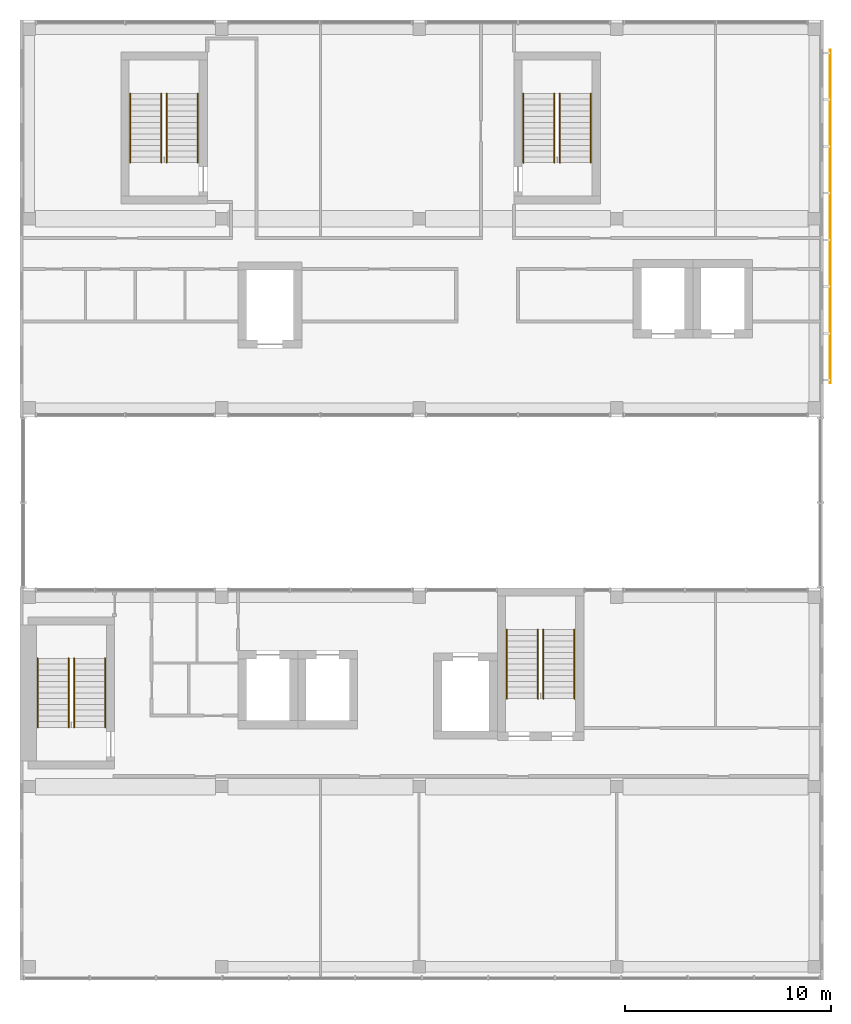
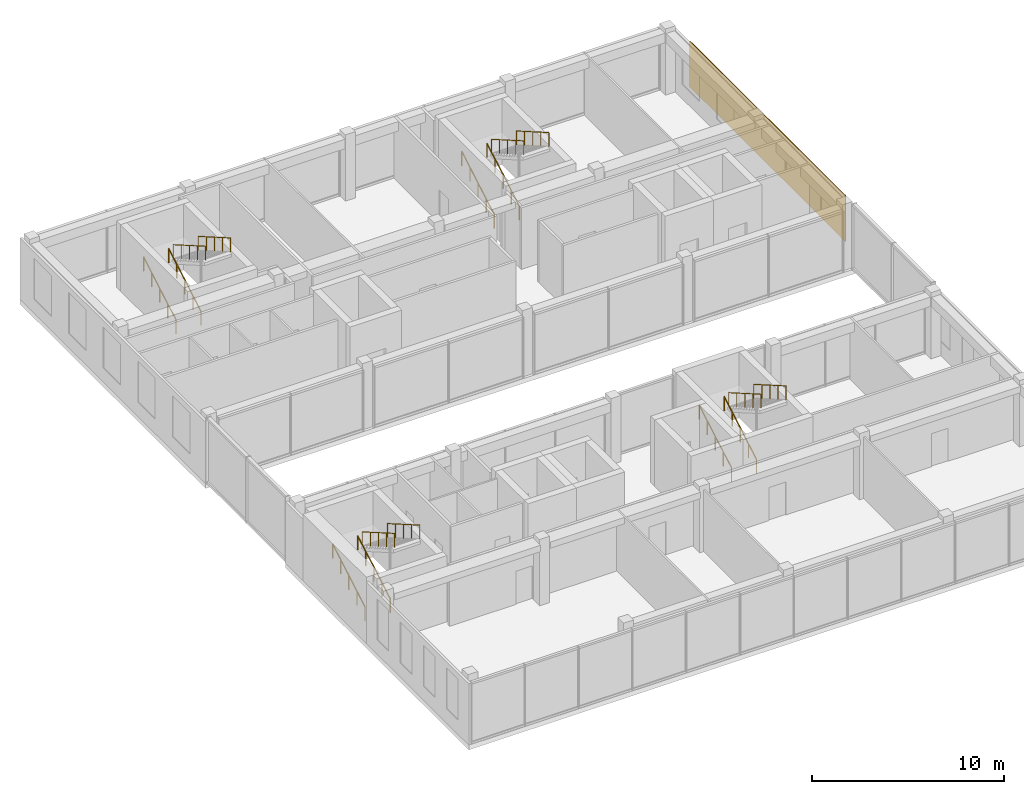
# One storey, part 23 of 28: 16 railings, 1 shading device.
"""IFC4 building model written with IfcOpenShell, lengths in metres."""

from ifc_helpers import new_model, si_unit, direction, frame, origin, origin_2d, place, context, subcontext, project, spatial, rectangle, circle, extrude, material, type_object, element, save


model = new_model("IFC4")

# Units and contexts
model_context = context("Model", 3, precision=1e-05, world=origin(), true_north=direction((0.0, 1.0)))
body_context = subcontext(model_context, "Body", "Model", "MODEL_VIEW")
ifc_project = project(units=[si_unit("LENGTHUNIT", "METRE"), si_unit("AREAUNIT", "SQUARE_METRE"), si_unit("VOLUMEUNIT", "CUBIC_METRE"), si_unit("PLANEANGLEUNIT", "RADIAN"), si_unit("MASSUNIT", "GRAM", prefix="KILO")], contexts=[model_context])

# Site, building, storey
site_placement = place(None, origin())
site = spatial("IfcSite", under=ifc_project, at=site_placement, CompositionType="ELEMENT")
building_placement = place(site_placement, origin())
building = spatial("IfcBuilding", under=site, at=building_placement, Name="Nzadi Deep Aquarium and Research Tower", CompositionType="ELEMENT")
storey_placement = place(building_placement, frame((0.0, 0.0, 73.89990234375)))
storey = spatial("IfcBuildingStorey", under=building, at=storey_placement, Name="L15", CompositionType="ELEMENT", Elevation=73.89990234375)

# Railings
ifc_material_1 = material(Name="Stainless steel 1.4301", Category="steel")
railing_type = type_object("IfcRailingType", Name="HANDRAIL 900", PredefinedType="HANDRAIL", material=ifc_material_1)
for number, where, name in (
    (1, (0.659912109375, 12.070068359375, 0.16162109375), "HR-ST-Z1-SW-L15-F1"),
    (2, (2.1650390625, 12.070068359375, 0.16162109375), "HR-ST-Z1-SW-L15-F1W"),
):
    element("IfcRailing", number, at=place(storey_placement, frame(where)), inside=storey, type_object=railing_type, Name=name, PredefinedType="HANDRAIL", context=body_context, shape_type="SweptSolid", body=[
        extrude(circle(Radius=0.02392578125, at=origin_2d()), frame((0.0, 0.0, 0.8759765625), z_axis=(0.0, 0.866175107563, 0.499740615757), x_axis=(-1.0, 0.0, 0.0)), (0.0, 0.0, 1.0), 3.87890625),
        extrude(circle(Radius=0.02099609375, at=origin_2d()), origin(), (0.0, 0.0, 1.0), 0.851806640625),
        extrude(circle(Radius=0.02099609375, at=origin_2d()), frame((0.0, 0.83984375, 0.484619140625)), (0.0, 0.0, 1.0), 0.851806640625),
        extrude(circle(Radius=0.02099609375, at=origin_2d()), frame((0.0, 1.679931640625, 0.96923828125)), (0.0, 0.0, 1.0), 0.851806640625),
        extrude(circle(Radius=0.02099609375, at=origin_2d()), frame((0.0, 2.52001953125, 1.453857421875)), (0.0, 0.0, 1.0), 0.851806640625),
        extrude(circle(Radius=0.02099609375, at=origin_2d()), frame((0.0, 3.35986328125, 1.9384765625)), (0.0, 0.0, 1.0), 0.851806640625),
    ])
for number, where, name in (
    (3, (3.93994140625, 15.429931640625, 2.26171875), "HR-ST-Z1-SW-L15-F2"),
    (4, (2.43505859375, 15.429931640625, 2.26171875), "HR-ST-Z1-SW-L15-F2W"),
):
    element("IfcRailing", number, at=place(storey_placement, frame(where)), inside=storey, type_object=railing_type, Name=name, PredefinedType="HANDRAIL", context=body_context, shape_type="SweptSolid", body=[
        extrude(circle(Radius=0.02392578125, at=origin_2d()), frame((0.0, 0.0, 0.8759765625), z_axis=(0.0, -0.866175107563, 0.499740615757), x_axis=(1.0, 0.0, 0.0)), (0.0, 0.0, 1.0), 3.87890625),
        extrude(circle(Radius=0.02099609375, at=origin_2d()), origin(), (0.0, 0.0, 1.0), 0.851806640625),
        extrude(circle(Radius=0.02099609375, at=origin_2d()), frame((0.0, -0.83984375, 0.484619140625)), (0.0, 0.0, 1.0), 0.851806640625),
        extrude(circle(Radius=0.02099609375, at=origin_2d()), frame((0.0, -1.679931640625, 0.96923828125)), (0.0, 0.0, 1.0), 0.851806640625),
        extrude(circle(Radius=0.02099609375, at=origin_2d()), frame((0.0, -2.52001953125, 1.453857421875)), (0.0, 0.0, 1.0), 0.851806640625),
        extrude(circle(Radius=0.02099609375, at=origin_2d()), frame((0.0, -3.35986328125, 1.9384765625)), (0.0, 0.0, 1.0), 0.851806640625),
    ])
for number, where, name in (
    (5, (23.4599609375, 13.469970703125, 0.16162109375), "HR-ST-Z1-SE-L15-F1"),
    (6, (24.965087890625, 13.469970703125, 0.16162109375), "HR-ST-Z1-SE-L15-F1W"),
):
    element("IfcRailing", number, at=place(storey_placement, frame(where)), inside=storey, type_object=railing_type, Name=name, PredefinedType="HANDRAIL", context=body_context, shape_type="SweptSolid", body=[
        extrude(circle(Radius=0.02392578125, at=origin_2d()), frame((0.0, 0.0, 0.8759765625), z_axis=(0.0, 0.866190824863, 0.499713372768), x_axis=(-1.0, 0.0, 0.0)), (0.0, 0.0, 1.0), 3.879150390625),
        extrude(circle(Radius=0.02099609375, at=origin_2d()), origin(), (0.0, 0.0, 1.0), 0.851806640625),
        extrude(circle(Radius=0.02099609375, at=origin_2d()), frame((0.0, 0.840087890625, 0.484619140625)), (0.0, 0.0, 1.0), 0.851806640625),
        extrude(circle(Radius=0.02099609375, at=origin_2d()), frame((0.0, 1.68017578125, 0.96923828125)), (0.0, 0.0, 1.0), 0.851806640625),
        extrude(circle(Radius=0.02099609375, at=origin_2d()), frame((0.0, 2.52001953125, 1.453857421875)), (0.0, 0.0, 1.0), 0.851806640625),
        extrude(circle(Radius=0.02099609375, at=origin_2d()), frame((0.0, 3.360107421875, 1.9384765625)), (0.0, 0.0, 1.0), 0.851806640625),
    ])
for number, where, name in (
    (7, (26.739990234375, 16.830078125, 2.26171875), "HR-ST-Z1-SE-L15-F2"),
    (8, (25.235107421875, 16.830078125, 2.26171875), "HR-ST-Z1-SE-L15-F2W"),
):
    element("IfcRailing", number, at=place(storey_placement, frame(where)), inside=storey, type_object=railing_type, Name=name, PredefinedType="HANDRAIL", context=body_context, shape_type="SweptSolid", body=[
        extrude(circle(Radius=0.02392578125, at=origin_2d()), frame((0.0, 0.0, 0.8759765625), z_axis=(0.0, -0.866190824863, 0.499713372768), x_axis=(1.0, 0.0, 0.0)), (0.0, 0.0, 1.0), 3.879150390625),
        extrude(circle(Radius=0.02099609375, at=origin_2d()), origin(), (0.0, 0.0, 1.0), 0.851806640625),
        extrude(circle(Radius=0.02099609375, at=origin_2d()), frame((0.0, -0.840087890625, 0.484619140625)), (0.0, 0.0, 1.0), 0.851806640625),
        extrude(circle(Radius=0.02099609375, at=origin_2d()), frame((0.0, -1.68017578125, 0.96923828125)), (0.0, 0.0, 1.0), 0.851806640625),
        extrude(circle(Radius=0.02099609375, at=origin_2d()), frame((0.0, -2.52001953125, 1.453857421875)), (0.0, 0.0, 1.0), 0.851806640625),
        extrude(circle(Radius=0.02099609375, at=origin_2d()), frame((0.0, -3.360107421875, 1.9384765625)), (0.0, 0.0, 1.0), 0.851806640625),
    ])
for number, where, name in (
    (9, (5.159912109375, 39.52001953125, 0.16162109375), "HR-ST-Z1-NW-L15-F1"),
    (10, (6.6650390625, 39.52001953125, 0.16162109375), "HR-ST-Z1-NW-L15-F1W"),
):
    element("IfcRailing", number, at=place(storey_placement, frame(where)), inside=storey, type_object=railing_type, Name=name, PredefinedType="HANDRAIL", context=body_context, shape_type="SweptSolid", body=[
        extrude(circle(Radius=0.02392578125, at=origin_2d()), frame((0.0, 0.0, 0.8759765625), z_axis=(0.0, 0.866175107563, 0.499740615757), x_axis=(-1.0, 0.0, 0.0)), (0.0, 0.0, 1.0), 3.87890625),
        extrude(circle(Radius=0.02099609375, at=origin_2d()), origin(), (0.0, 0.0, 1.0), 0.851806640625),
        extrude(circle(Radius=0.02099609375, at=origin_2d()), frame((0.0, 0.83984375, 0.484619140625)), (0.0, 0.0, 1.0), 0.851806640625),
        extrude(circle(Radius=0.02099609375, at=origin_2d()), frame((0.0, 1.679931640625, 0.96923828125)), (0.0, 0.0, 1.0), 0.851806640625),
        extrude(circle(Radius=0.02099609375, at=origin_2d()), frame((0.0, 2.52001953125, 1.453857421875)), (0.0, 0.0, 1.0), 0.851806640625),
        extrude(circle(Radius=0.02099609375, at=origin_2d()), frame((0.0, 3.35986328125, 1.9384765625)), (0.0, 0.0, 1.0), 0.851806640625),
    ])
for number, where, name in (
    (11, (8.43994140625, 42.8798828125, 2.26171875), "HR-ST-Z1-NW-L15-F2"),
    (12, (6.93505859375, 42.8798828125, 2.26171875), "HR-ST-Z1-NW-L15-F2W"),
):
    element("IfcRailing", number, at=place(storey_placement, frame(where)), inside=storey, type_object=railing_type, Name=name, PredefinedType="HANDRAIL", context=body_context, shape_type="SweptSolid", body=[
        extrude(circle(Radius=0.02392578125, at=origin_2d()), frame((0.0, 0.0, 0.8759765625), z_axis=(0.0, -0.866175107563, 0.499740615757), x_axis=(1.0, 0.0, 0.0)), (0.0, 0.0, 1.0), 3.87890625),
        extrude(circle(Radius=0.02099609375, at=origin_2d()), origin(), (0.0, 0.0, 1.0), 0.851806640625),
        extrude(circle(Radius=0.02099609375, at=origin_2d()), frame((0.0, -0.83984375, 0.484619140625)), (0.0, 0.0, 1.0), 0.851806640625),
        extrude(circle(Radius=0.02099609375, at=origin_2d()), frame((0.0, -1.679931640625, 0.96923828125)), (0.0, 0.0, 1.0), 0.851806640625),
        extrude(circle(Radius=0.02099609375, at=origin_2d()), frame((0.0, -2.52001953125, 1.453857421875)), (0.0, 0.0, 1.0), 0.851806640625),
        extrude(circle(Radius=0.02099609375, at=origin_2d()), frame((0.0, -3.35986328125, 1.9384765625)), (0.0, 0.0, 1.0), 0.851806640625),
    ])
for number, where, name in (
    (13, (24.260009765625, 39.52001953125, 0.16162109375), "HR-ST-Z1-NE-L15-F1"),
    (14, (25.764892578125, 39.52001953125, 0.16162109375), "HR-ST-Z1-NE-L15-F1W"),
):
    element("IfcRailing", number, at=place(storey_placement, frame(where)), inside=storey, type_object=railing_type, Name=name, PredefinedType="HANDRAIL", context=body_context, shape_type="SweptSolid", body=[
        extrude(circle(Radius=0.02392578125, at=origin_2d()), frame((0.0, 0.0, 0.8759765625), z_axis=(0.0, 0.866175107563, 0.499740615757), x_axis=(-1.0, 0.0, 0.0)), (0.0, 0.0, 1.0), 3.87890625),
        extrude(circle(Radius=0.02099609375, at=origin_2d()), origin(), (0.0, 0.0, 1.0), 0.851806640625),
        extrude(circle(Radius=0.02099609375, at=origin_2d()), frame((0.0, 0.83984375, 0.484619140625)), (0.0, 0.0, 1.0), 0.851806640625),
        extrude(circle(Radius=0.02099609375, at=origin_2d()), frame((0.0, 1.679931640625, 0.96923828125)), (0.0, 0.0, 1.0), 0.851806640625),
        extrude(circle(Radius=0.02099609375, at=origin_2d()), frame((0.0, 2.52001953125, 1.453857421875)), (0.0, 0.0, 1.0), 0.851806640625),
        extrude(circle(Radius=0.02099609375, at=origin_2d()), frame((0.0, 3.35986328125, 1.9384765625)), (0.0, 0.0, 1.0), 0.851806640625),
    ])
for number, where, name in (
    (15, (27.5400390625, 42.8798828125, 2.26171875), "HR-ST-Z1-NE-L15-F2"),
    (16, (26.034912109375, 42.8798828125, 2.26171875), "HR-ST-Z1-NE-L15-F2W"),
):
    element("IfcRailing", number, at=place(storey_placement, frame(where)), inside=storey, type_object=railing_type, Name=name, PredefinedType="HANDRAIL", context=body_context, shape_type="SweptSolid", body=[
        extrude(circle(Radius=0.02392578125, at=origin_2d()), frame((0.0, 0.0, 0.8759765625), z_axis=(0.0, -0.866175107563, 0.499740615757), x_axis=(1.0, 0.0, 0.0)), (0.0, 0.0, 1.0), 3.87890625),
        extrude(circle(Radius=0.02099609375, at=origin_2d()), origin(), (0.0, 0.0, 1.0), 0.851806640625),
        extrude(circle(Radius=0.02099609375, at=origin_2d()), frame((0.0, -0.83984375, 0.484619140625)), (0.0, 0.0, 1.0), 0.851806640625),
        extrude(circle(Radius=0.02099609375, at=origin_2d()), frame((0.0, -1.679931640625, 0.96923828125)), (0.0, 0.0, 1.0), 0.851806640625),
        extrude(circle(Radius=0.02099609375, at=origin_2d()), frame((0.0, -2.52001953125, 1.453857421875)), (0.0, 0.0, 1.0), 0.851806640625),
        extrude(circle(Radius=0.02099609375, at=origin_2d()), frame((0.0, -3.35986328125, 1.9384765625)), (0.0, 0.0, 1.0), 0.851806640625),
    ])

# Shading device
ifc_material_2 = material(Name="Aluminium perforated sheet", Category="aluminium")
shading_device_type = type_object("IfcShadingDeviceType", Name="Perforated screen 40 mm", PredefinedType="USERDEFINED", material=ifc_material_2)
shading_device_placement = place(storey_placement, frame((39.169921875, 36.89990234375, 0.60009765625), z_axis=(0.0, 0.0, 1.0), x_axis=(1.0, 0.0, 0.0)))
element("IfcShadingDevice", 17, at=shading_device_placement, inside=storey, type_object=shading_device_type, Name="Perforated screen L15 BE", ObjectType="Screen", PredefinedType="USERDEFINED", context=body_context, shape_type="SweptSolid", body=[
    extrude(rectangle(XDim=0.0400390625, YDim=16.199951171875, at=origin_2d()), origin(), (0.0, 0.0, 1.0), 2.89990234375),
])

save(model, "model.ifc")
